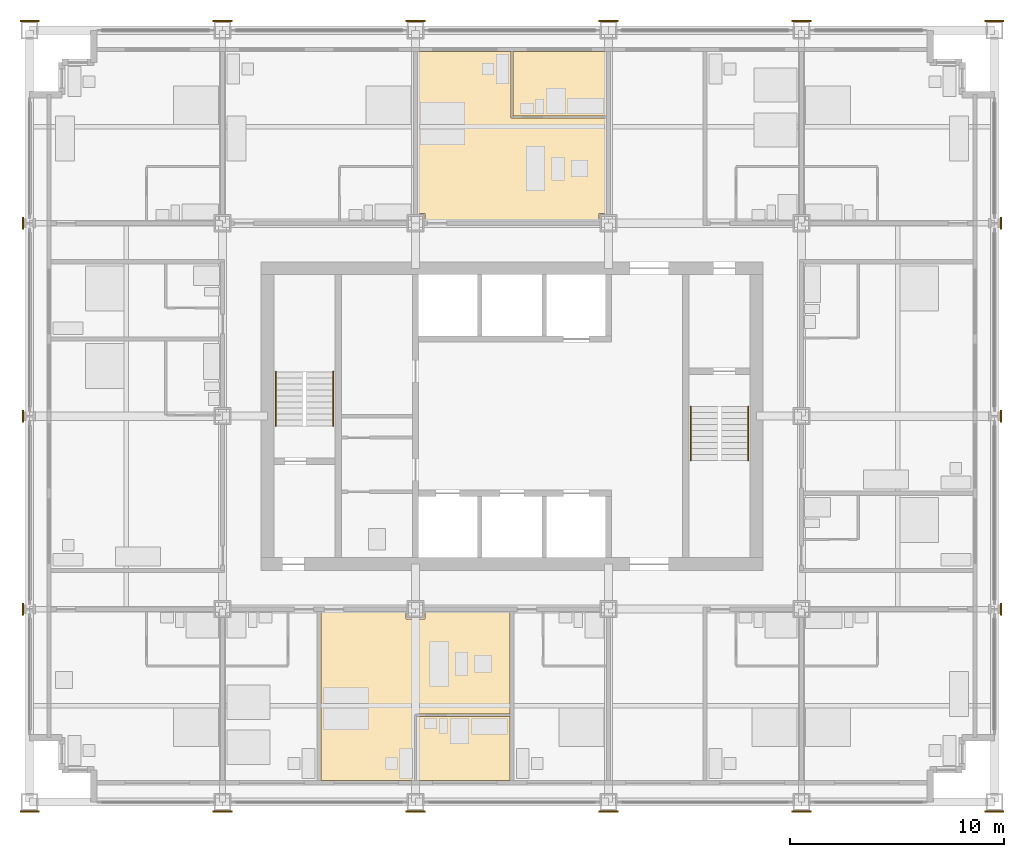
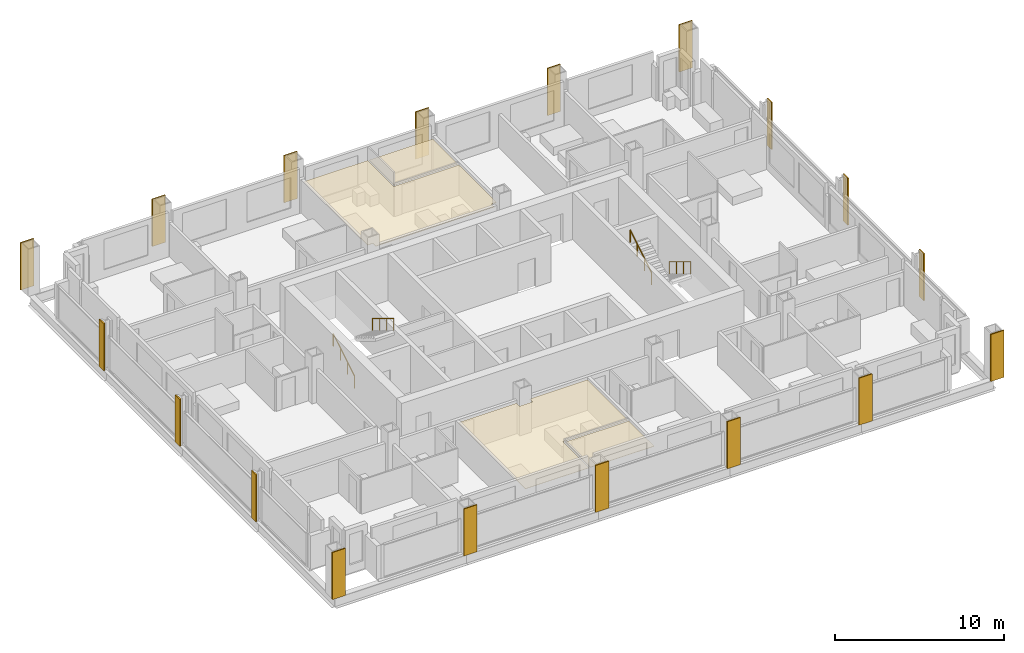
# One storey, part 14 of 16: 22 coverings, 4 railings.
"""IFC4 building model written with IfcOpenShell, lengths in metres."""

from ifc_helpers import new_model, si_unit, direction, frame, origin, origin_2d, place, context, subcontext, project, spatial, polyline, rectangle, circle, outline, extrude, material, layer, layer_set, type_object, element, save


model = new_model("IFC4")

# Units and contexts
model_context = context("Model", 3, precision=1e-05, world=origin(), true_north=direction((0.0, 1.0)))
body_context = subcontext(model_context, "Body", "Model", "MODEL_VIEW")
ifc_project = project(units=[si_unit("LENGTHUNIT", "METRE"), si_unit("AREAUNIT", "SQUARE_METRE"), si_unit("VOLUMEUNIT", "CUBIC_METRE"), si_unit("PLANEANGLEUNIT", "RADIAN"), si_unit("MASSUNIT", "GRAM", prefix="KILO")], contexts=[model_context])

# Site, building, storey
site_placement = place(None, origin())
site = spatial("IfcSite", under=ifc_project, at=site_placement, CompositionType="ELEMENT")
building_placement = place(site_placement, origin())
building = spatial("IfcBuilding", under=site, at=building_placement, Name="Loomwork Tower", CompositionType="ELEMENT")
storey_placement = place(building_placement, frame((0.0, 0.0, 118.0)))
storey = spatial("IfcBuildingStorey", under=building, at=storey_placement, Name="L31", CompositionType="ELEMENT", Elevation=118.0)

# Railings
ifc_material_1 = material(Name="Stainless steel handrail", Category="steel")
railing_type = type_object("IfcRailingType", Name="Handrail 900", PredefinedType="HANDRAIL", material=ifc_material_1)
railing_1_placement = place(storey_placement, frame((11.485107421875, 17.550048828125, 0.169921875)))
element("IfcRailing", 1, at=railing_1_placement, inside=storey, type_object=railing_type, Name="Stair A handrail flight 1 L31", PredefinedType="HANDRAIL", context=body_context, shape_type="SweptSolid", body=[
    extrude(circle(Radius=0.02392578125, at=origin_2d()), frame((0.0, 0.0, 0.8759765625), z_axis=(0.0, 0.85478489116, 0.518982456201), x_axis=(-1.0, 0.0, 0.0)), (0.0, 0.0, 1.0), 2.9482421875),
    extrude(circle(Radius=0.02099609375, at=origin_2d()), origin(), (0.0, 0.0, 1.0), 0.851806640625),
    extrude(circle(Radius=0.02099609375, at=origin_2d()), frame((0.0, 0.840087890625, 0.510009765625)), (0.0, 0.0, 1.0), 0.851806640625),
    extrude(circle(Radius=0.02099609375, at=origin_2d()), frame((0.0, 1.679931640625, 1.02001953125)), (0.0, 0.0, 1.0), 0.851806640625),
    extrude(circle(Radius=0.02099609375, at=origin_2d()), frame((0.0, 2.52001953125, 1.530029296875)), (0.0, 0.0, 1.0), 0.851806640625),
])
railing_2_placement = place(storey_placement, frame((14.1650390625, 20.070068359375, 1.8701171875)))
element("IfcRailing", 2, at=railing_2_placement, inside=storey, type_object=railing_type, Name="Stair A handrail flight 2 L31", PredefinedType="HANDRAIL", context=body_context, shape_type="SweptSolid", body=[
    extrude(circle(Radius=0.02392578125, at=origin_2d()), frame((0.0, 0.0, 0.8759765625), z_axis=(0.0, -0.854821627497, 0.518921945155), x_axis=(1.0, 0.0, 0.0)), (0.0, 0.0, 1.0), 2.947998046875),
    extrude(circle(Radius=0.02099609375, at=origin_2d()), origin(), (0.0, 0.0, 1.0), 0.851806640625),
    extrude(circle(Radius=0.02099609375, at=origin_2d()), frame((0.0, -0.840087890625, 0.510009765625)), (0.0, 0.0, 1.0), 0.851806640625),
    extrude(circle(Radius=0.02099609375, at=origin_2d()), frame((0.0, -1.679931640625, 1.019775390625)), (0.0, 0.0, 1.0), 0.851806640625),
    extrude(circle(Radius=0.02099609375, at=origin_2d()), frame((0.0, -2.52001953125, 1.52978515625)), (0.0, 0.0, 1.0), 0.851806640625),
])
railing_3_placement = place(storey_placement, frame((33.514892578125, 18.449951171875, 0.169921875)))
element("IfcRailing", 3, at=railing_3_placement, inside=storey, type_object=railing_type, Name="Stair B handrail flight 1 L31", PredefinedType="HANDRAIL", context=body_context, shape_type="SweptSolid", body=[
    extrude(circle(Radius=0.02392578125, at=origin_2d()), frame((0.0, 0.0, 0.8759765625), z_axis=(0.0, -0.85478489116, 0.518982456201), x_axis=(1.0, 0.0, 0.0)), (0.0, 0.0, 1.0), 2.9482421875),
    extrude(circle(Radius=0.02099609375, at=origin_2d()), origin(), (0.0, 0.0, 1.0), 0.851806640625),
    extrude(circle(Radius=0.02099609375, at=origin_2d()), frame((0.0, -0.840087890625, 0.510009765625)), (0.0, 0.0, 1.0), 0.851806640625),
    extrude(circle(Radius=0.02099609375, at=origin_2d()), frame((0.0, -1.679931640625, 1.02001953125)), (0.0, 0.0, 1.0), 0.851806640625),
    extrude(circle(Radius=0.02099609375, at=origin_2d()), frame((0.0, -2.52001953125, 1.530029296875)), (0.0, 0.0, 1.0), 0.851806640625),
])
railing_4_placement = place(storey_placement, frame((30.8349609375, 15.929931640625, 1.8701171875)))
element("IfcRailing", 4, at=railing_4_placement, inside=storey, type_object=railing_type, Name="Stair B handrail flight 2 L31", PredefinedType="HANDRAIL", context=body_context, shape_type="SweptSolid", body=[
    extrude(circle(Radius=0.02392578125, at=origin_2d()), frame((0.0, 0.0, 0.8759765625), z_axis=(0.0, 0.854821627497, 0.518921945155), x_axis=(-1.0, 0.0, 0.0)), (0.0, 0.0, 1.0), 2.947998046875),
    extrude(circle(Radius=0.02099609375, at=origin_2d()), origin(), (0.0, 0.0, 1.0), 0.851806640625),
    extrude(circle(Radius=0.02099609375, at=origin_2d()), frame((0.0, 0.840087890625, 0.510009765625)), (0.0, 0.0, 1.0), 0.851806640625),
    extrude(circle(Radius=0.02099609375, at=origin_2d()), frame((0.0, 1.679931640625, 1.019775390625)), (0.0, 0.0, 1.0), 0.851806640625),
    extrude(circle(Radius=0.02099609375, at=origin_2d()), frame((0.0, 2.52001953125, 1.52978515625)), (0.0, 0.0, 1.0), 0.851806640625),
])

# Coverings
ifc_material_2 = material(Name="Limestone", Category="masonry")
ifc_layer_1 = layer(ifc_material_2, 0.080078125)
ifc_layer_set_1 = layer_set([ifc_layer_1], Name="Limestone pier facing 80")
covering_type_1 = type_object("IfcCoveringType", Name="Limestone pier facing 80", PredefinedType="CLADDING", material=ifc_layer_set_1)
covering_1_placement = place(storey_placement, frame((0.0, -0.43994140625, 0.0), z_axis=(0.0, 0.0, 1.0), x_axis=(1.0, 0.0, 0.0)))
element("IfcCovering", 5, at=covering_1_placement, inside=storey, type_object=covering_type_1, Name="Pier facing D/2 L31", PredefinedType="CLADDING", context=body_context, shape_type="SweptSolid", body=[
    extrude(rectangle(XDim=0.89990234375, YDim=0.080078125, at=origin_2d()), origin(), (0.0, 0.0, 1.0), 3.39990234375),
])
for number, where, z_axis, x_axis, name in (
    (6, (-0.314208984375, 9.0, 0.0), (0.0, 0.0, 1.0), (1.0, 0.0, 0.0), "Pier facing E/2 L31"),
    (7, (-0.314208984375, 18.0, 0.0), (0.0, 0.0, 1.0), (1.0, 0.0, 0.0), "Pier facing F/2 L31"),
    (8, (-0.314208984375, 27.0, 0.0), (0.0, 0.0, 1.0), (1.0, 0.0, 0.0), "Pier facing G/2 L31"),
):
    element("IfcCovering", number, at=place(storey_placement, frame(where, z_axis=z_axis, x_axis=x_axis)), inside=storey, type_object=covering_type_1, Name=name, PredefinedType="CLADDING", context=body_context, shape_type="SweptSolid", body=[
        extrude(rectangle(XDim=0.080078125, YDim=0.549560546875, at=origin_2d()), origin(), (0.0, 0.0, 1.0), 3.39990234375),
    ])
for number, where, z_axis, x_axis, name in (
    (9, (0.0, 36.43994140625, 0.0), (0.0, 0.0, 1.0), (1.0, 0.0, 0.0), "Pier facing H/2 L31"),
    (10, (9.0, -0.43994140625, 0.0), (0.0, 0.0, 1.0), (1.0, 0.0, 0.0), "Pier facing D/3 L31"),
    (11, (9.0, 36.43994140625, 0.0), (0.0, 0.0, 1.0), (1.0, 0.0, 0.0), "Pier facing H/3 L31"),
    (12, (18.0, -0.43994140625, 0.0), (0.0, 0.0, 1.0), (1.0, 0.0, 0.0), "Pier facing D/4 L31"),
    (13, (18.0, 36.43994140625, 0.0), (0.0, 0.0, 1.0), (1.0, 0.0, 0.0), "Pier facing H/4 L31"),
    (14, (27.0, -0.43994140625, 0.0), (0.0, 0.0, 1.0), (1.0, 0.0, 0.0), "Pier facing D/5 L31"),
    (15, (27.0, 36.43994140625, 0.0), (0.0, 0.0, 1.0), (1.0, 0.0, 0.0), "Pier facing H/5 L31"),
    (16, (36.0, -0.43994140625, 0.0), (0.0, 0.0, 1.0), (1.0, 0.0, 0.0), "Pier facing D/6 L31"),
    (17, (36.0, 36.43994140625, 0.0), (0.0, 0.0, 1.0), (1.0, 0.0, 0.0), "Pier facing H/6 L31"),
    (18, (45.0, -0.43994140625, 0.0), (0.0, 0.0, 1.0), (1.0, 0.0, 0.0), "Pier facing D/7 L31"),
):
    element("IfcCovering", number, at=place(storey_placement, frame(where, z_axis=z_axis, x_axis=x_axis)), inside=storey, type_object=covering_type_1, Name=name, PredefinedType="CLADDING", context=body_context, shape_type="SweptSolid", body=[
        extrude(rectangle(XDim=0.89990234375, YDim=0.080078125, at=origin_2d()), origin(), (0.0, 0.0, 1.0), 3.39990234375),
    ])
for number, where, z_axis, x_axis, name in (
    (19, (45.314208984375, 9.0, 0.0), (0.0, 0.0, 1.0), (1.0, 0.0, 0.0), "Pier facing E/7 L31"),
    (20, (45.314208984375, 18.0, 0.0), (0.0, 0.0, 1.0), (1.0, 0.0, 0.0), "Pier facing F/7 L31"),
    (21, (45.314208984375, 27.0, 0.0), (0.0, 0.0, 1.0), (1.0, 0.0, 0.0), "Pier facing G/7 L31"),
):
    element("IfcCovering", number, at=place(storey_placement, frame(where, z_axis=z_axis, x_axis=x_axis)), inside=storey, type_object=covering_type_1, Name=name, PredefinedType="CLADDING", context=body_context, shape_type="SweptSolid", body=[
        extrude(rectangle(XDim=0.080078125, YDim=0.549560546875, at=origin_2d()), origin(), (0.0, 0.0, 1.0), 3.39990234375),
    ])
covering_2_placement = place(storey_placement, frame((45.0, 36.43994140625, 0.0), z_axis=(0.0, 0.0, 1.0), x_axis=(1.0, 0.0, 0.0)))
element("IfcCovering", 22, at=covering_2_placement, inside=storey, type_object=covering_type_1, Name="Pier facing H/7 L31", PredefinedType="CLADDING", context=body_context, shape_type="SweptSolid", body=[
    extrude(rectangle(XDim=0.89990234375, YDim=0.080078125, at=origin_2d()), origin(), (0.0, 0.0, 1.0), 3.39990234375),
])
ifc_material_3 = material(Name="Mineral fibre acoustic tile on suspension grid")
ifc_layer_2 = layer(ifc_material_3, 0.02490234375)
ifc_layer_set_2 = layer_set([ifc_layer_2], Name="Suspended acoustic ceiling")
covering_type_2 = type_object("IfcCoveringType", Name="Suspended acoustic ceiling", PredefinedType="CEILING", material=ifc_layer_set_2)
covering_3_placement = place(storey_placement, frame((0.0, 0.0, 2.175048828125)))
element("IfcCovering", 23, at=covering_3_placement, inside=storey, type_object=covering_type_2, Name="Ceiling Spa bathroom L31", PredefinedType="CEILING", context=body_context, shape_type="SweptSolid", body=[
    extrude(outline(polyline([(22.39990234375, 4.0), (22.39990234375, 1.0), (18.050048828125, 1.0), (18.050048828125, 4.0), (22.39990234375, 4.0)])), origin(), (0.0, 0.0, 1.0), 0.02490234375),
])
covering_4_placement = place(storey_placement, frame((0.0, 0.0, 2.175048828125)))
element("IfcCovering", 24, at=covering_4_placement, inside=storey, type_object=covering_type_2, Name="Ceiling Spa suite L31", PredefinedType="CEILING", context=body_context, shape_type="SweptSolid", body=[
    extrude(outline(polyline([(17.550048828125, 8.89990234375), (17.550048828125, 8.550048828125), (18.449951171875, 8.550048828125), (18.449951171875, 8.89990234375), (22.39990234375, 8.89990234375), (22.39990234375, 4.10009765625), (17.949951171875, 4.10009765625), (17.949951171875, 1.0), (13.60009765625, 1.0), (13.60009765625, 8.89990234375), (17.550048828125, 8.89990234375)])), origin(), (0.0, 0.0, 1.0), 0.02490234375),
])
covering_5_placement = place(storey_placement, frame((0.0, 0.0, 2.175048828125)))
element("IfcCovering", 25, at=covering_5_placement, inside=storey, type_object=covering_type_2, Name="Ceiling Spa bathroom L31", PredefinedType="CEILING", context=body_context, shape_type="SweptSolid", body=[
    extrude(outline(polyline([(22.550048828125, 35.0), (26.89990234375, 35.0), (26.89990234375, 32.0), (22.550048828125, 32.0), (22.550048828125, 35.0)])), origin(), (0.0, 0.0, 1.0), 0.02490234375),
])
covering_6_placement = place(storey_placement, frame((0.0, 0.0, 2.175048828125)))
element("IfcCovering", 26, at=covering_6_placement, inside=storey, type_object=covering_type_2, Name="Ceiling Spa suite L31", PredefinedType="CEILING", context=body_context, shape_type="SweptSolid", body=[
    extrude(outline(polyline([(18.10009765625, 35.0), (22.449951171875, 35.0), (22.449951171875, 31.89990234375), (26.89990234375, 31.89990234375), (26.89990234375, 27.449951171875), (26.550048828125, 27.449951171875), (26.550048828125, 27.10009765625), (18.449951171875, 27.10009765625), (18.449951171875, 27.449951171875), (18.10009765625, 27.449951171875), (18.10009765625, 35.0)])), origin(), (0.0, 0.0, 1.0), 0.02490234375),
])

save(model, "model.ifc")
